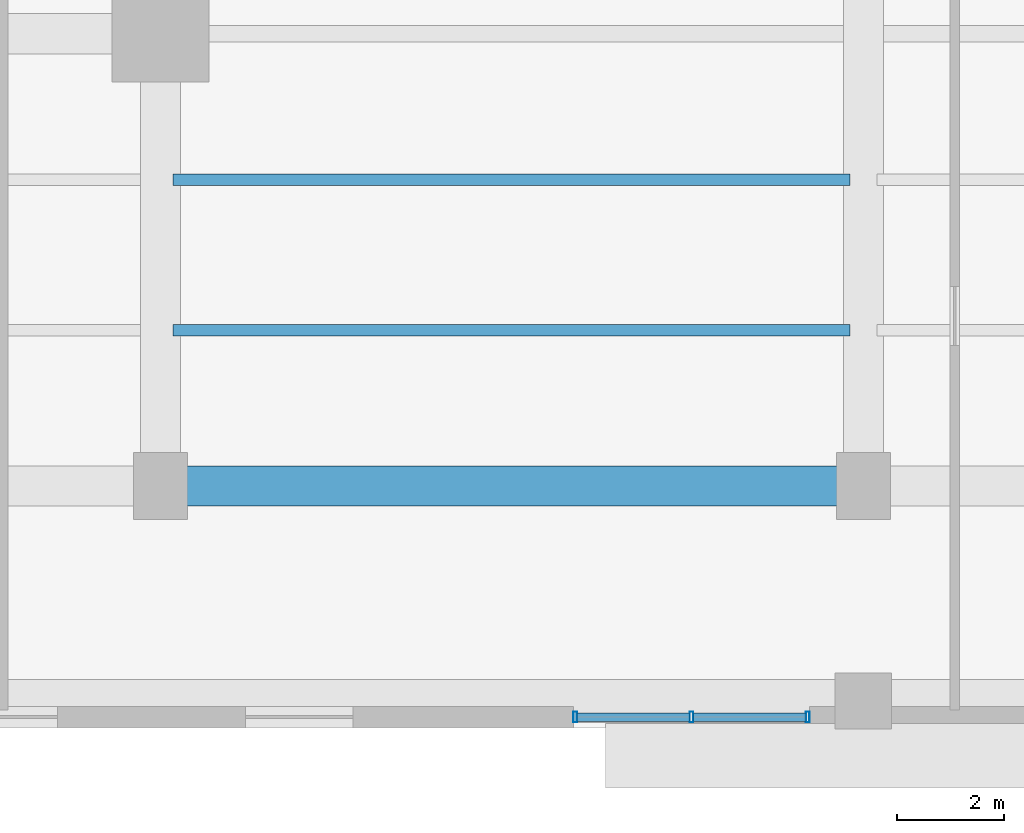
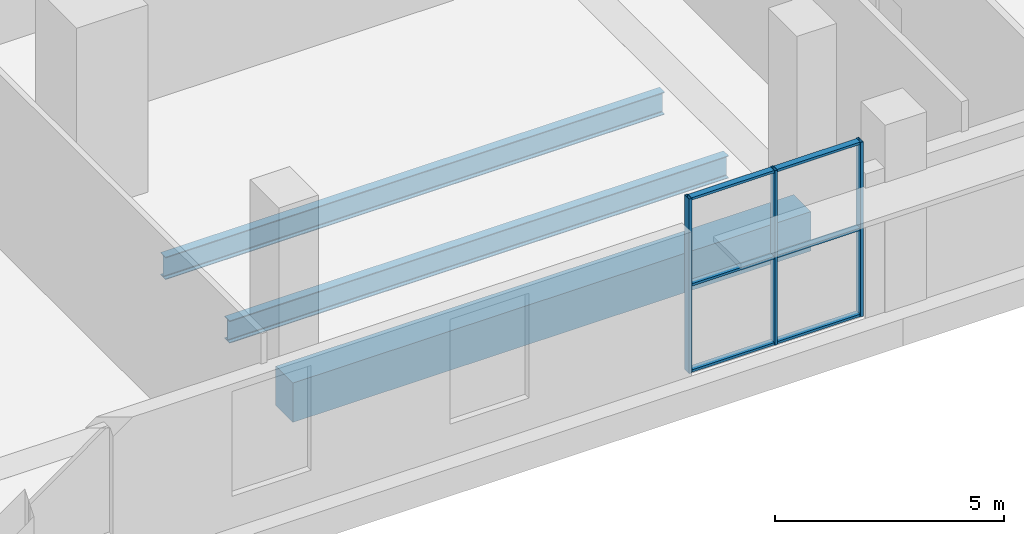
# One storey, part 2 of 17: 9 members, 3 beams, 1 element without a shape of its own.
"""IFC4 building model written with IfcOpenShell, lengths in metres."""

from ifc_helpers import new_model, si_unit, direction, frame, origin, origin_2d, place, context, subcontext, project, spatial, rectangle, hollow_rectangle, i_section, extrude, source, transform, mapped, material, layer, layer_set, material_profile, profile_set, type_object, element, aggregate, save


model = new_model("IFC4")

# Units and contexts
model_context = context("Model", 3, precision=1e-05, world=origin(), true_north=direction((0.0, 1.0)))
body_context = subcontext(model_context, "Body", "Model", "MODEL_VIEW")
ifc_project = project(units=[si_unit("LENGTHUNIT", "METRE"), si_unit("AREAUNIT", "SQUARE_METRE"), si_unit("VOLUMEUNIT", "CUBIC_METRE"), si_unit("PLANEANGLEUNIT", "RADIAN"), si_unit("MASSUNIT", "GRAM", prefix="KILO"), si_unit("THERMODYNAMICTEMPERATUREUNIT", "KELVIN")], contexts=[model_context])

# Site, building, storey
site_placement = place(None, origin())
site = spatial("IfcSite", under=ifc_project, at=site_placement, CompositionType="ELEMENT")
building_placement = place(site_placement, origin())
building = spatial("IfcBuilding", under=site, at=building_placement, Name="Kosmvard Interchange Tower", CompositionType="ELEMENT")
storey_placement = place(building_placement, frame((0.0, 0.0, 6.0)))
storey = spatial("IfcBuildingStorey", under=building, at=storey_placement, Name="L01", CompositionType="ELEMENT", Elevation=6.0)

# Beams
ifc_material_1 = material(Name="Steel S355", Category="steel")
ifc_material_profile_1 = material_profile(ifc_material_1, i_section(OverallWidth=0.219970703125, OverallDepth=0.60009765625, WebThickness=0.011962890625, FlangeThickness=0.01904296875, FilletRadius=0.02392578125, at=origin_2d()), Name="IPE 600")
ifc_profile_set_1 = profile_set([ifc_material_profile_1], Name="Steel S355")
beam_type_1 = type_object("IfcBeamType", Name="Long-Span Floor Joist IPE 600 S355", PredefinedType="JOIST", material=ifc_profile_set_1)
shared_shape_1 = source(origin(), body_context, "Body", "SweptSolid", [
    extrude(i_section(OverallWidth=0.219970703125, OverallDepth=0.60009765625, WebThickness=0.011962890625, FlangeThickness=0.01904296875, FilletRadius=0.02392578125, at=origin_2d()), origin(), (0.0, 0.0, 1.0), 12.60009765625),
])
for number, where, z_axis, x_axis, name in (
    (1, (-12.85009765625, -18.60009765625, -0.639892578125), (1.0, 0.0, 0.0), (0.0, 1.0, 0.0), "BM-L01-PJ02"),
    (2, (-12.85009765625, -15.800048828125, -0.639892578125), (1.0, 0.0, 0.0), (0.0, 1.0, 0.0), "BM-L01-PJ06"),
):
    element("IfcBeam", number, at=place(storey_placement, frame(where, z_axis=z_axis, x_axis=x_axis)), inside=storey, type_object=beam_type_1, Name=name, PredefinedType="JOIST", context=body_context, shape_type="MappedRepresentation", body=[
        mapped(shared_shape_1, transform((0.0, 0.0, 0.0), scale=1.0)),
    ])
ifc_material_2 = material(Name="Concrete C60/75", Category="concrete")
ifc_material_profile_2 = material_profile(ifc_material_2, rectangle(XDim=0.75, YDim=1.050048828125, at=origin_2d()), Name="RCG 750x1050")
ifc_profile_set_2 = profile_set([ifc_material_profile_2], Name="Concrete C60/75")
beam_type_2 = type_object("IfcBeamType", Name="Concourse Mid-Span RC Girder 750x1050 C60/75", PredefinedType="BEAM", material=ifc_profile_set_2)
shared_shape_2 = source(origin(), body_context, "Body", "SweptSolid", [
    extrude(rectangle(XDim=0.75, YDim=1.050048828125, at=origin_2d()), origin(), (0.0, 0.0, 1.0), 13.0810546875),
])
beam_placement = place(storey_placement, frame((-13.0810546875, -21.5, -0.52490234375), z_axis=(1.0, 0.0, 0.0), x_axis=(0.0, 1.0, 0.0)))
element("IfcBeam", 3, at=beam_placement, inside=storey, type_object=beam_type_2, Name="BM-L01-PG-S2", PredefinedType="BEAM", context=body_context, shape_type="MappedRepresentation", body=[
    mapped(shared_shape_2, transform((0.0, 0.0, 0.0), scale=1.0)),
])

# Curtain wall, members
ifc_material_3 = material(Name="Architectural anodised aluminium", Category="aluminium")
ifc_layer = layer(ifc_material_3, 0.199951171875, Name="Architectural anodised aluminium")
ifc_layer_set = layer_set([ifc_layer], Name="Architectural anodised aluminium")
curtain_wall_type = type_object("IfcCurtainWallType", Name="CW-2 Cascade Terrace Hall Curtain Wall", PredefinedType="NOTDEFINED", material=ifc_layer_set)
curtain_wall_placement = place(storey_placement, origin())
curtain_wall = element("IfcCurtainWall", 4, at=curtain_wall_placement, inside=storey, type_object=curtain_wall_type, Name="L01 South Terrace Hall Curtain Wall", PredefinedType="NOTDEFINED")
ifc_material_profile_3 = material_profile(ifc_material_3, hollow_rectangle(XDim=0.199951171875, YDim=0.070068359375, WallThickness=0.0048828125, at=origin_2d()), Name="CWM 200x70x5")
ifc_profile_set_3 = profile_set([ifc_material_profile_3], Name="Architectural anodised aluminium")
member_type_1 = type_object("IfcMemberType", Name="Terrace CW Mullion 200x70 Aluminium", PredefinedType="MULLION", material=ifc_profile_set_3)
shared_shape_3 = source(origin(), body_context, "Body", "SweptSolid", [
    extrude(hollow_rectangle(XDim=0.199951171875, YDim=0.070068359375, WallThickness=0.0048828125, at=origin_2d()), origin(), (0.0, 0.0, 1.0), 4.659912109375),
])
member_1_placement = place(storey_placement, frame((-5.364990234375, -25.800048828125, 0.0), z_axis=(0.0, 0.0, 1.0), x_axis=(0.0, 1.0, 0.0)))
member_1 = element("IfcMember", 5, at=member_1_placement, type_object=member_type_1, Name="CW-2 mullion 1", PredefinedType="MULLION", context=body_context, shape_type="MappedRepresentation", body=[
    mapped(shared_shape_3, transform((0.0, 0.0, 0.0), scale=1.0)),
])
member_2_placement = place(storey_placement, frame((-3.199951171875, -25.800048828125, 0.0), z_axis=(0.0, 0.0, 1.0), x_axis=(0.0, 1.0, 0.0)))
member_2 = element("IfcMember", 6, at=member_2_placement, type_object=member_type_1, Name="CW-2 mullion 2", PredefinedType="MULLION", context=body_context, shape_type="MappedRepresentation", body=[
    mapped(shared_shape_3, transform((0.0, 0.0, 0.0), scale=1.0)),
])
member_3_placement = place(storey_placement, frame((-1.034912109375, -25.800048828125, 0.0), z_axis=(0.0, 0.0, 1.0), x_axis=(0.0, 1.0, 0.0)))
member_3 = element("IfcMember", 7, at=member_3_placement, type_object=member_type_1, Name="CW-2 mullion 3", PredefinedType="MULLION", context=body_context, shape_type="MappedRepresentation", body=[
    mapped(shared_shape_3, transform((0.0, 0.0, 0.0), scale=1.0)),
])
ifc_material_profile_4 = material_profile(ifc_material_3, hollow_rectangle(XDim=0.159912109375, YDim=0.06494140625, WallThickness=0.00390625, at=origin_2d()), Name="CWT 160x65x4")
ifc_profile_set_4 = profile_set([ifc_material_profile_4], Name="Architectural anodised aluminium")
member_type_2 = type_object("IfcMemberType", Name="Standard CW Transom 160x65 Aluminium", PredefinedType="USERDEFINED", material=ifc_profile_set_4)
shared_shape_4 = source(origin(), body_context, "Body", "SweptSolid", [
    extrude(hollow_rectangle(XDim=0.159912109375, YDim=0.06494140625, WallThickness=0.00390625, at=origin_2d()), origin(), (0.0, 0.0, 1.0), 2.094970703125),
])
member_4_placement = place(storey_placement, frame((-5.330078125, -25.800048828125, 0.032470703125), z_axis=(1.0, 0.0, 0.0), x_axis=(0.0, 1.0, 0.0)))
member_4 = element("IfcMember", 8, at=member_4_placement, type_object=member_type_2, Name="CW-2 transom 1.1", ObjectType="TRANSOM", PredefinedType="USERDEFINED", context=body_context, shape_type="MappedRepresentation", body=[
    mapped(shared_shape_4, transform((0.0, 0.0, 0.0), scale=1.0)),
])
member_5_placement = place(storey_placement, frame((-5.330078125, -25.800048828125, 2.330078125), z_axis=(1.0, 0.0, 0.0), x_axis=(0.0, 1.0, 0.0)))
member_5 = element("IfcMember", 9, at=member_5_placement, type_object=member_type_2, Name="CW-2 transom 1.2", ObjectType="TRANSOM", PredefinedType="USERDEFINED", context=body_context, shape_type="MappedRepresentation", body=[
    mapped(shared_shape_4, transform((0.0, 0.0, 0.0), scale=1.0)),
])
member_6_placement = place(storey_placement, frame((-5.330078125, -25.800048828125, 4.62744140625), z_axis=(1.0, 0.0, 0.0), x_axis=(0.0, 1.0, 0.0)))
member_6 = element("IfcMember", 10, at=member_6_placement, type_object=member_type_2, Name="CW-2 transom 1.3", ObjectType="TRANSOM", PredefinedType="USERDEFINED", context=body_context, shape_type="MappedRepresentation", body=[
    mapped(shared_shape_4, transform((0.0, 0.0, 0.0), scale=1.0)),
])
member_7_placement = place(storey_placement, frame((-3.1650390625, -25.800048828125, 0.032470703125), z_axis=(1.0, 0.0, 0.0), x_axis=(0.0, 1.0, 0.0)))
member_7 = element("IfcMember", 11, at=member_7_placement, type_object=member_type_2, Name="CW-2 transom 2.1", ObjectType="TRANSOM", PredefinedType="USERDEFINED", context=body_context, shape_type="MappedRepresentation", body=[
    mapped(shared_shape_4, transform((0.0, 0.0, 0.0), scale=1.0)),
])
member_8_placement = place(storey_placement, frame((-3.1650390625, -25.800048828125, 2.330078125), z_axis=(1.0, 0.0, 0.0), x_axis=(0.0, 1.0, 0.0)))
member_8 = element("IfcMember", 12, at=member_8_placement, type_object=member_type_2, Name="CW-2 transom 2.2", ObjectType="TRANSOM", PredefinedType="USERDEFINED", context=body_context, shape_type="MappedRepresentation", body=[
    mapped(shared_shape_4, transform((0.0, 0.0, 0.0), scale=1.0)),
])
member_9_placement = place(storey_placement, frame((-3.1650390625, -25.800048828125, 4.62744140625), z_axis=(1.0, 0.0, 0.0), x_axis=(0.0, 1.0, 0.0)))
member_9 = element("IfcMember", 13, at=member_9_placement, type_object=member_type_2, Name="CW-2 transom 2.3", ObjectType="TRANSOM", PredefinedType="USERDEFINED", context=body_context, shape_type="MappedRepresentation", body=[
    mapped(shared_shape_4, transform((0.0, 0.0, 0.0), scale=1.0)),
])
aggregate(curtain_wall, [member_1, member_2, member_3, member_4, member_5, member_6, member_7, member_8, member_9])

save(model, "model.ifc")
